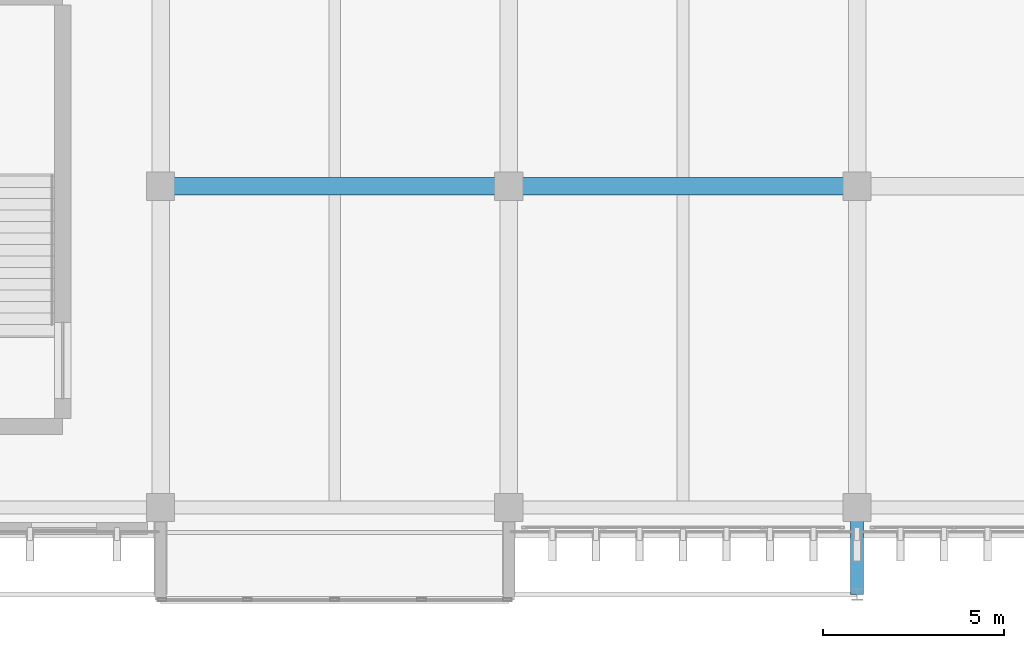
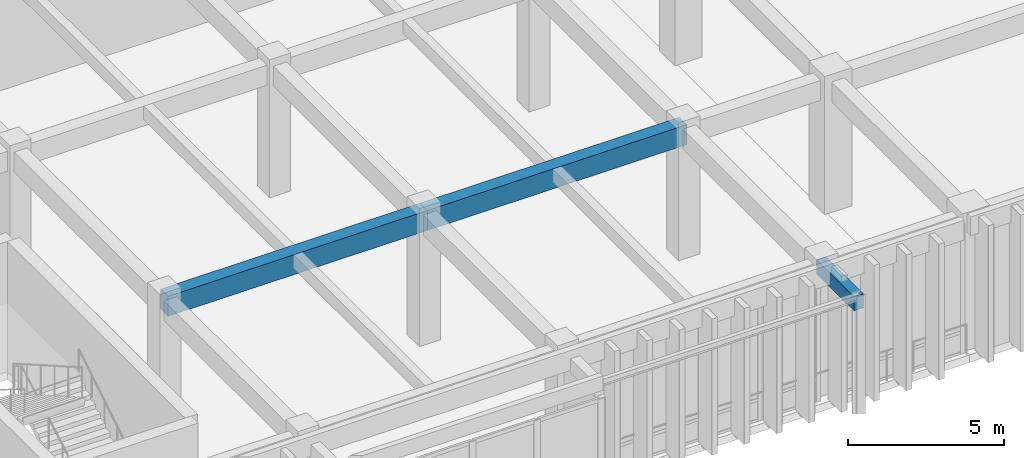
# One storey, part 57 of 134: 3 beams.
"""IFC4 building model written with IfcOpenShell, lengths in metres."""

from ifc_helpers import new_model, si_unit, direction, frame, origin, origin_2d, place, context, subcontext, project, spatial, rectangle, extrude, material, material_profile, profile_set, type_object, element, save


model = new_model("IFC4")

# Units and contexts
model_context = context("Model", 3, precision=1e-05, world=origin(), true_north=direction((0.0, 1.0)))
body_context = subcontext(model_context, "Body", "Model", "MODEL_VIEW")
ifc_project = project(units=[si_unit("LENGTHUNIT", "METRE"), si_unit("AREAUNIT", "SQUARE_METRE"), si_unit("VOLUMEUNIT", "CUBIC_METRE"), si_unit("PLANEANGLEUNIT", "RADIAN"), si_unit("MASSUNIT", "GRAM", prefix="KILO")], contexts=[model_context])

# Site, building, storey
site_placement = place(None, origin())
site = spatial("IfcSite", under=ifc_project, at=site_placement, CompositionType="ELEMENT")
building_placement = place(site_placement, origin())
building = spatial("IfcBuilding", under=site, at=building_placement, Name="Nakhvara Creek Congress Hotel", CompositionType="ELEMENT")
storey_placement = place(building_placement, frame((0.0, 0.0, 6.0)))
storey = spatial("IfcBuildingStorey", under=building, at=storey_placement, Name="L01", CompositionType="ELEMENT", Elevation=6.0)

# Beams
ifc_material = material(Name="Concrete C40/50", Category="concrete")
ifc_material_profile_1 = material_profile(ifc_material, rectangle(XDim=0.35009765625, YDim=0.550048828125, at=origin_2d()), Name="RC-BM 350x550", Category="LoadBearing")
ifc_profile_set_1 = profile_set([ifc_material_profile_1], Name="Concrete C40/50")
beam_type_1 = type_object("IfcBeamType", Name="BM-CANT-BOX", PredefinedType="BEAM", material=ifc_profile_set_1)
beam_1_placement = place(storey_placement, frame((144.0, 0.75, 4.824951171875), z_axis=(0.0, -1.0, 0.0), x_axis=(1.0, 0.0, 0.0)))
element("IfcBeam", 1, at=beam_1_placement, inside=storey, type_object=beam_type_1, Name="Foyer Box Outrigger Beam PBOX-L02-S2-144", PredefinedType="BEAM", context=body_context, shape_type="SweptSolid", body=[
    extrude(rectangle(XDim=0.35009765625, YDim=0.550048828125, at=origin_2d()), origin(), (0.0, 0.0, 1.0), 2.39990234375),
])
ifc_material_profile_2 = material_profile(ifc_material, rectangle(XDim=0.47998046875, YDim=0.780029296875, at=origin_2d()), Name="RC-BM 480x780", Category="LoadBearing")
ifc_profile_set_2 = profile_set([ifc_material_profile_2], Name="Concrete C40/50")
beam_type_2 = type_object("IfcBeamType", Name="BM-RC-480X780", PredefinedType="BEAM", material=ifc_profile_set_2)
beam_2_placement = place(storey_placement, frame((124.800048828125, 9.60009765625, 4.7099609375), z_axis=(1.0, 0.0, 0.0), x_axis=(0.0, 1.0, 0.0)))
element("IfcBeam", 2, at=beam_2_placement, inside=storey, type_object=beam_type_2, Name="Beam B13-L01-1220", PredefinedType="BEAM", context=body_context, shape_type="SweptSolid", body=[
    extrude(rectangle(XDim=0.47998046875, YDim=0.780029296875, at=origin_2d()), origin(), (0.0, 0.0, 1.0), 9.599853515625),
])
beam_3_placement = place(storey_placement, frame((134.39990234375, 9.60009765625, 4.7099609375), z_axis=(1.0, 0.0, 0.0), x_axis=(0.0, 1.0, 0.0)))
element("IfcBeam", 3, at=beam_3_placement, inside=storey, type_object=beam_type_2, Name="Beam B13-L01-1241", PredefinedType="BEAM", context=body_context, shape_type="SweptSolid", body=[
    extrude(rectangle(XDim=0.47998046875, YDim=0.780029296875, at=origin_2d()), origin(), (0.0, 0.0, 1.0), 9.60009765625),
])

save(model, "model.ifc")
